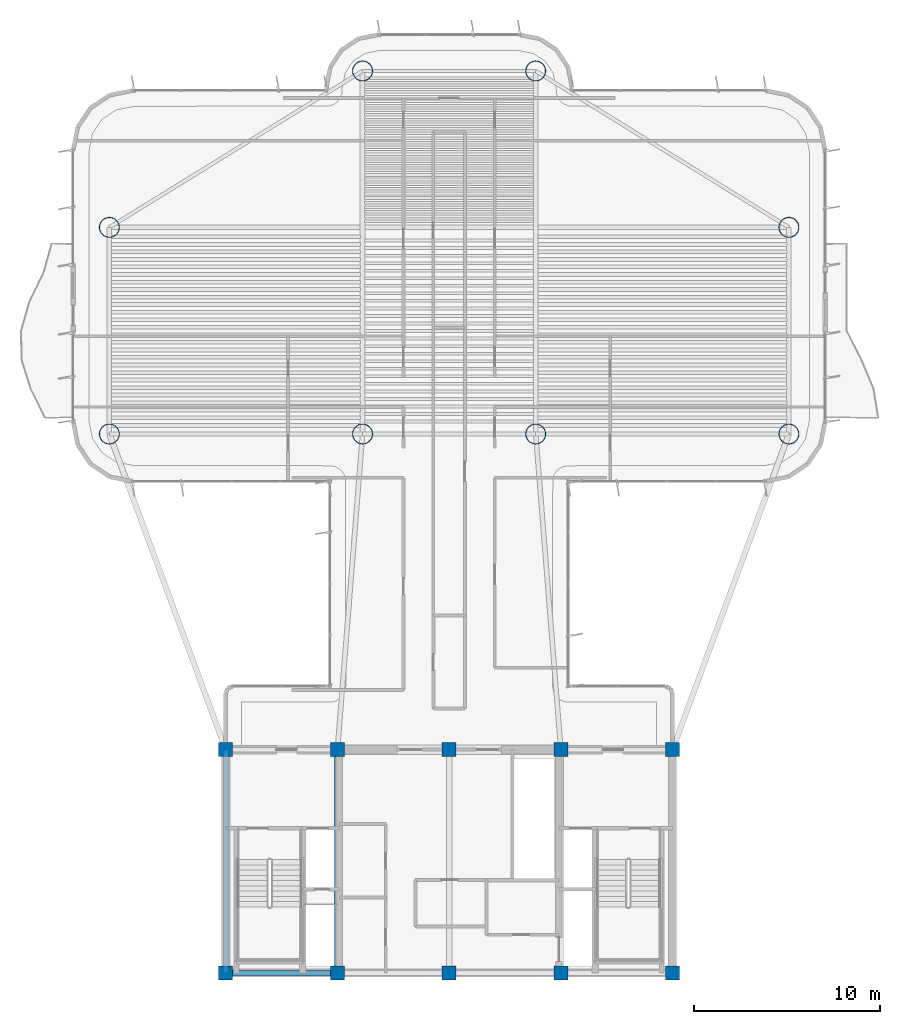
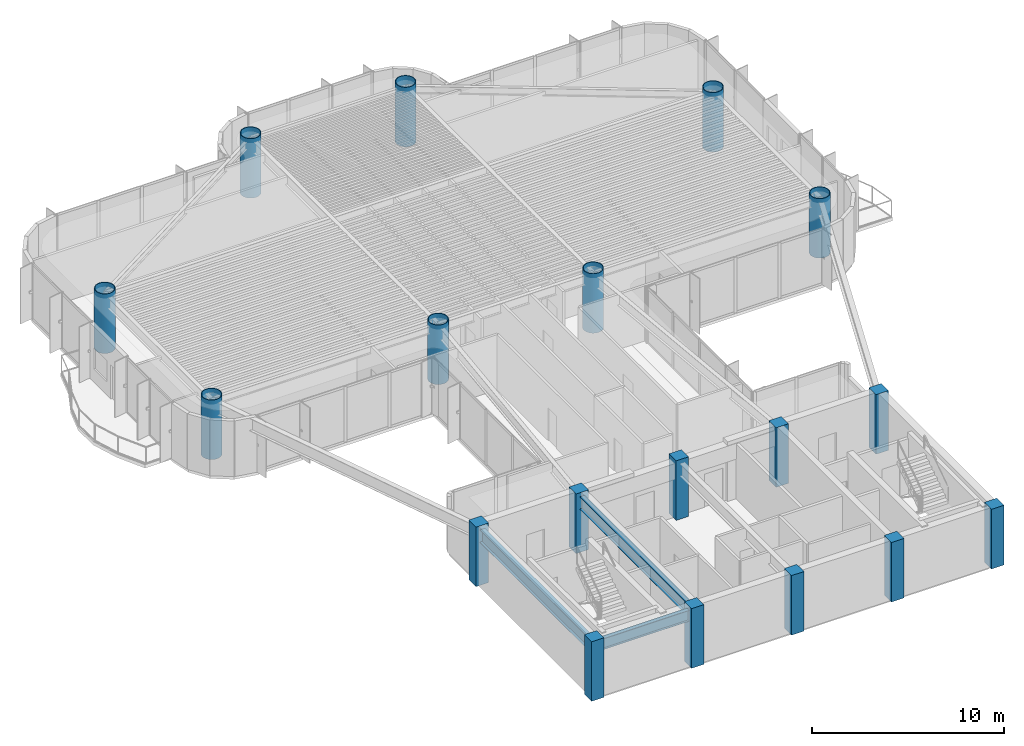
# One storey, part 1 of 14: 18 columns, 3 beams.
"""IFC4 building model written with IfcOpenShell, lengths in metres."""

from ifc_helpers import new_model, si_unit, direction, frame, origin, origin_2d, place, context, subcontext, project, spatial, rectangle, hollow_circle, i_section, extrude, source, transform, mapped, material, material_profile, profile_set, type_object, element, save


model = new_model("IFC4")

# Units and contexts
model_context = context("Model", 3, precision=1e-05, world=origin(), true_north=direction((0.0, 1.0)))
body_context = subcontext(model_context, "Body", "Model", "MODEL_VIEW")
ifc_project = project(units=[si_unit("LENGTHUNIT", "METRE"), si_unit("AREAUNIT", "SQUARE_METRE"), si_unit("VOLUMEUNIT", "CUBIC_METRE"), si_unit("PLANEANGLEUNIT", "RADIAN"), si_unit("MASSUNIT", "GRAM", prefix="KILO")], contexts=[model_context])

# Site, building, storey
site_placement = place(None, origin())
site = spatial("IfcSite", under=ifc_project, at=site_placement, CompositionType="ELEMENT")
building_placement = place(site_placement, origin())
building = spatial("IfcBuilding", under=site, at=building_placement, Name="Brelvock Crest Care Tower", CompositionType="ELEMENT")
storey_placement = place(building_placement, frame((0.0, 0.0, 182.8798828125)))
storey = spatial("IfcBuildingStorey", under=building, at=storey_placement, Name="L46", CompositionType="ELEMENT", Elevation=182.8798828125)

# Columns
ifc_material_1 = material(Name="Concrete S65 (65 MPa)", Category="concrete")
ifc_material_profile_1 = material_profile(ifc_material_1, rectangle(XDim=0.75, YDim=0.75, at=origin_2d()), Name="RC750x750")
ifc_profile_set_1 = profile_set([ifc_material_profile_1], Name="Concrete S65 (65 MPa)")
column_type_1 = type_object("IfcColumnType", Name="COL-RC3", PredefinedType="COLUMN", material=ifc_profile_set_1)
shared_shape_1 = source(origin(), body_context, "Body", "SweptSolid", [
    extrude(rectangle(XDim=0.75, YDim=0.75, at=origin_2d()), origin(), (0.0, 0.0, 1.0), 3.780029296875),
])
for number, where, z_axis, x_axis, name in (
    (1, (24.0, 6.0, 0.0), (0.0, 0.0, 1.0), (1.0, 0.0, 0.0), "L46 Core Column CC-01"),
    (2, (30.0, 6.0, 0.0), (0.0, 0.0, 1.0), (1.0, 0.0, 0.0), "L46 Core Column CC-02"),
    (3, (36.0, 6.0, 0.0), (0.0, 0.0, 1.0), (1.0, 0.0, 0.0), "L46 Core Column CC-03"),
    (4, (42.0, 6.0, 0.0), (0.0, 0.0, 1.0), (1.0, 0.0, 0.0), "L46 Core Column CC-04"),
    (5, (48.0, 6.0, 0.0), (0.0, 0.0, 1.0), (1.0, 0.0, 0.0), "L46 Core Column CC-05"),
    (6, (24.0, 18.0, 0.0), (0.0, 0.0, 1.0), (1.0, 0.0, 0.0), "L46 Core Column CC-06"),
    (7, (30.0, 18.0, 0.0), (0.0, 0.0, 1.0), (1.0, 0.0, 0.0), "L46 Core Column CC-07"),
    (8, (36.0, 18.0, 0.0), (0.0, 0.0, 1.0), (1.0, 0.0, 0.0), "L46 Core Column CC-08"),
    (9, (42.0, 18.0, 0.0), (0.0, 0.0, 1.0), (1.0, 0.0, 0.0), "L46 Core Column CC-09"),
    (10, (48.0, 18.0, 0.0), (0.0, 0.0, 1.0), (1.0, 0.0, 0.0), "L46 Core Column CC-10"),
):
    element("IfcColumn", number, at=place(storey_placement, frame(where, z_axis=z_axis, x_axis=x_axis)), inside=storey, type_object=column_type_1, Name=name, PredefinedType="COLUMN", context=body_context, shape_type="MappedRepresentation", body=[
        mapped(shared_shape_1, transform((0.0, 0.0, 0.0), x_axis=(1.0, 0.0, 0.0), y_axis=(0.0, 1.0, 0.0), z_axis=(0.0, 0.0, 1.0), scale=1.0)),
    ])
ifc_material_2 = material(Name="Steel Grade 350", Category="steel")
ifc_material_profile_2 = material_profile(ifc_material_2, hollow_circle(Radius=0.550048828125, WallThickness=0.0400390625, at=origin_2d()), Name="CFT1100x40")
ifc_profile_set_2 = profile_set([ifc_material_profile_2], Name="Steel Grade 350")
column_type_2 = type_object("IfcColumnType", Name="COL-MC3", PredefinedType="COLUMN", material=ifc_profile_set_2)
shared_shape_2 = source(origin(), body_context, "Body", "SweptSolid", [
    extrude(hollow_circle(Radius=0.550048828125, WallThickness=0.0400390625, at=origin_2d()), origin(), (0.0, 0.0, 1.0), 3.780029296875),
])
for number, where, z_axis, x_axis, name in (
    (11, (17.75, 34.949951171875, 0.0), (0.0, 0.0, 1.0), (1.0, 0.0, 0.0), "L46 Tower Column M1"),
    (12, (17.75, 46.050048828125, 0.0), (0.0, 0.0, 1.0), (1.0, 0.0, 0.0), "L46 Tower Column M2"),
    (13, (54.25, 34.949951171875, 0.0), (0.0, 0.0, 1.0), (1.0, 0.0, 0.0), "L46 Tower Column M3"),
    (14, (54.25, 46.050048828125, 0.0), (0.0, 0.0, 1.0), (1.0, 0.0, 0.0), "L46 Tower Column M4"),
    (15, (31.35009765625, 34.949951171875, 0.0), (0.0, 0.0, 1.0), (1.0, 0.0, 0.0), "L46 Tower Column M5"),
    (16, (40.64990234375, 34.949951171875, 0.0), (0.0, 0.0, 1.0), (1.0, 0.0, 0.0), "L46 Tower Column M6"),
    (17, (31.35009765625, 54.449951171875, 0.0), (0.0, 0.0, 1.0), (1.0, 0.0, 0.0), "L46 Tower Column M7"),
    (18, (40.64990234375, 54.449951171875, 0.0), (0.0, 0.0, 1.0), (1.0, 0.0, 0.0), "L46 Tower Column M8"),
):
    element("IfcColumn", number, at=place(storey_placement, frame(where, z_axis=z_axis, x_axis=x_axis)), inside=storey, type_object=column_type_2, Name=name, PredefinedType="COLUMN", context=body_context, shape_type="MappedRepresentation", body=[
        mapped(shared_shape_2, transform((0.0, 0.0, 0.0), x_axis=(1.0, 0.0, 0.0), y_axis=(0.0, 1.0, 0.0), z_axis=(0.0, 0.0, 1.0), scale=1.0)),
    ])

# Beams
ifc_material_profile_3 = material_profile(ifc_material_2, i_section(OverallWidth=0.25, OverallDepth=0.699951171875, WebThickness=0.011962890625, FlangeThickness=0.02001953125, at=origin_2d()), Name="700WB150")
ifc_profile_set_3 = profile_set([ifc_material_profile_3], Name="Steel Grade 350")
beam_type_1 = type_object("IfcBeamType", Name="BM-G4", PredefinedType="BEAM", material=ifc_profile_set_3)
shared_shape_3 = source(origin(), body_context, "Body", "SweptSolid", [
    extrude(i_section(OverallWidth=0.25, OverallDepth=0.699951171875, WebThickness=0.011962890625, FlangeThickness=0.02001953125, at=origin_2d()), origin(), (0.0, 0.0, 1.0), 6.0),
])
beam_placement = place(storey_placement, frame((24.0, 6.0, 3.18017578125), z_axis=(1.0, 0.0, 0.0), x_axis=(0.0, 1.0, 0.0)))
element("IfcBeam", 19, at=beam_placement, inside=storey, type_object=beam_type_1, Name="BM-CORES-L46-1", PredefinedType="BEAM", context=body_context, shape_type="MappedRepresentation", body=[
    mapped(shared_shape_3, transform((0.0, 0.0, 0.0), x_axis=(1.0, 0.0, 0.0), y_axis=(0.0, 1.0, 0.0), z_axis=(0.0, 0.0, 1.0), scale=1.0)),
])
ifc_material_profile_4 = material_profile(ifc_material_2, i_section(OverallWidth=0.300048828125, OverallDepth=0.800048828125, WebThickness=0.013916015625, FlangeThickness=0.02197265625, at=origin_2d()), Name="800WB192")
ifc_profile_set_4 = profile_set([ifc_material_profile_4], Name="Steel Grade 350")
beam_type_2 = type_object("IfcBeamType", Name="BM-G5", PredefinedType="BEAM", material=ifc_profile_set_4)
shared_shape_4 = source(origin(), body_context, "Body", "SweptSolid", [
    extrude(i_section(OverallWidth=0.300048828125, OverallDepth=0.800048828125, WebThickness=0.013916015625, FlangeThickness=0.02197265625, at=origin_2d()), origin(), (0.0, 0.0, 1.0), 12.0),
])
for number, where, z_axis, x_axis, name in (
    (20, (24.0, 6.0, 3.130126953125), (0.0, 1.0, 0.0), (-1.0, 0.0, 0.0), "BM-COREX-L46-1"),
    (21, (30.0, 6.0, 3.130126953125), (0.0, 1.0, 0.0), (-1.0, 0.0, 0.0), "BM-COREX-L46-2"),
):
    element("IfcBeam", number, at=place(storey_placement, frame(where, z_axis=z_axis, x_axis=x_axis)), inside=storey, type_object=beam_type_2, Name=name, PredefinedType="BEAM", context=body_context, shape_type="MappedRepresentation", body=[
        mapped(shared_shape_4, transform((0.0, 0.0, 0.0), x_axis=(1.0, 0.0, 0.0), y_axis=(0.0, 1.0, 0.0), z_axis=(0.0, 0.0, 1.0), scale=1.0)),
    ])

save(model, "model.ifc")
